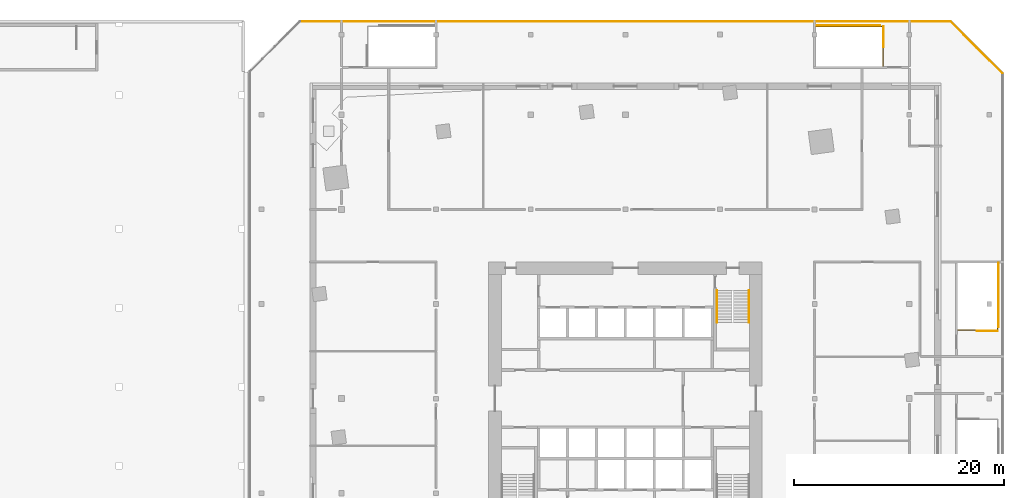
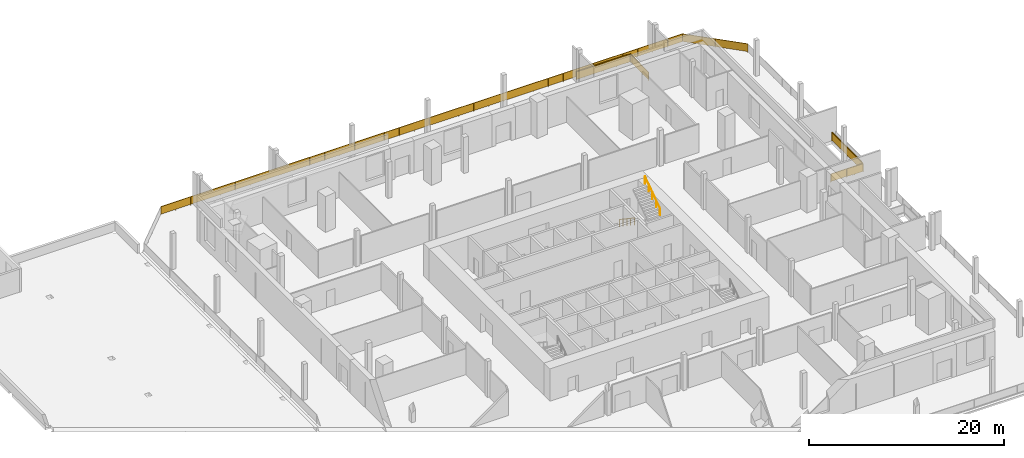
# One storey, part 12 of 12: 10 railings.
"""IFC4 building model written with IfcOpenShell, lengths in metres."""

import ifcopenshell
import ifcopenshell.guid

model = None  # the IFC model being written
_history = None  # IfcOwnerHistory: only IFC2X3 demands one
_inside = {}  # id of a spatial element -> (the spatial element, [elements in it])
_under = {}  # id of a project, library or spatial element -> (it, [spatial elements below it])
_declared = {}  # id of a project -> (the project, [libraries it declares])
_typed = {}  # id of a type object -> (the type object, [elements of that type])
_made_of = {}  # id of a material, layer set ... -> (it, [elements and type objects made of it])


def new_model(schema):
    """Start an empty IFC model of exactly this schema.

    Asked for "IFC4X3", IfcOpenShell would pick the latest addendum, in which some entities
    have other attributes; the version numbers below select the first issue.
    IFC2X3 requires an IfcOwnerHistory on every rooted entity: one is made here for all.
    """
    global model, _history
    if schema == "IFC4X3":
        model = ifcopenshell.file(schema_version=(4, 3, 0, 0))
    else:
        model = ifcopenshell.file(schema=schema)
    _inside.clear()
    _under.clear()
    _declared.clear()
    _typed.clear()
    _made_of.clear()
    _history = None
    if model.schema == "IFC2X3":
        org = make("IfcOrganization", Name="unknown")
        user = make(
            "IfcPersonAndOrganization",
            ThePerson=make("IfcPerson", FamilyName="unknown"),
            TheOrganization=org,
        )
        app = make(
            "IfcApplication",
            ApplicationDeveloper=org,
            Version="unknown",
            ApplicationFullName="unknown",
            ApplicationIdentifier="unknown",
        )
        _history = make(
            "IfcOwnerHistory",
            OwningUser=user,
            OwningApplication=app,
            ChangeAction="ADDED",
            CreationDate=0,
        )
    return model


def make(cls, **values):
    """One entity of the class cls with the attributes given. An attribute that is None is left unset."""
    return model.create_entity(
        cls, **{name: value for name, value in values.items() if value is not None}
    )


def rooted(cls, **values):
    """An entity with a GlobalId (a new one), such as an element, a storey or a relation."""
    return make(cls, GlobalId=ifcopenshell.guid.new(), OwnerHistory=_history, **values)


def si_unit(unit_type, name, prefix=None):
    """IfcSIUnit, for example si_unit("LENGTHUNIT", "METRE", prefix="MILLI")."""
    return make("IfcSIUnit", UnitType=unit_type, Prefix=prefix, Name=name)


def assignment(units):
    """IfcUnitAssignment: the units of a project."""
    return None if units is None else make("IfcUnitAssignment", Units=units)


def point(xyz):
    """IfcCartesianPoint."""
    return None if xyz is None else make("IfcCartesianPoint", Coordinates=xyz)


def direction(xyz):
    """IfcDirection."""
    return None if xyz is None else make("IfcDirection", DirectionRatios=xyz)


def frame(location, z_axis=None, x_axis=None):
    """IfcAxis2Placement3D, a coordinate frame: its origin and axes. An axis left out is left unset."""
    return make(
        "IfcAxis2Placement3D",
        Location=point(location),
        Axis=direction(z_axis),
        RefDirection=direction(x_axis),
    )


def frame_2d(location, x_axis=None):
    """IfcAxis2Placement2D, a coordinate frame in the plane: its origin and x axis."""
    return make(
        "IfcAxis2Placement2D", Location=point(location), RefDirection=direction(x_axis)
    )


def origin():
    """The frame at (0, 0, 0) with its axes left unset."""
    return frame((0.0, 0.0, 0.0))


def origin_2d():
    """The frame at (0, 0) in the plane with its x axis left unset."""
    return frame_2d((0.0, 0.0))


def place(relative_to, where):
    """IfcLocalPlacement: puts the frame where relative to a parent placement (None: the world)."""
    return make(
        "IfcLocalPlacement", PlacementRelTo=relative_to, RelativePlacement=where
    )


def context(
    kind, dimensions, precision=None, world=None, true_north=None, identifier=None
):
    """IfcGeometricRepresentationContext, for example the 3D "Model" context."""
    return make(
        "IfcGeometricRepresentationContext",
        ContextIdentifier=identifier,
        ContextType=kind,
        CoordinateSpaceDimension=dimensions,
        Precision=precision,
        WorldCoordinateSystem=world,
        TrueNorth=true_north,
    )


def subcontext(parent, identifier, kind, view, scale=None):
    """IfcGeometricRepresentationSubContext, for example "Body" below "Model"."""
    return make(
        "IfcGeometricRepresentationSubContext",
        ContextIdentifier=identifier,
        ContextType=kind,
        ParentContext=parent,
        TargetScale=scale,
        TargetView=view,
    )


def project(units=None, contexts=None):
    """IfcProject with its units and contexts."""
    return rooted(
        "IfcProject",
        Name="project",
        RepresentationContexts=contexts,
        UnitsInContext=assignment(units),
    )


def spatial(cls, under=None, at=None, **own):
    """A site, building, storey or space (cls), placed at a placement, below another one or the project."""
    s = rooted(cls, ObjectPlacement=at, **own)
    if under is not None:
        _under.setdefault(under.id(), (under, []))[1].append(s)
    return s


def profile(cls, at=None, kind="AREA", **sizes):
    """A parametric profile (cls). Its sizes go by their IFC names, for example OverallWidth=200.0."""
    return make(cls, ProfileType=kind, Position=at, **sizes)


def rectangle(**sizes):
    """IfcRectangleProfileDef."""
    return profile("IfcRectangleProfileDef", **sizes)


def circle(**sizes):
    """IfcCircleProfileDef."""
    return profile("IfcCircleProfileDef", **sizes)


def extrude(swept, where, along, depth):
    """IfcExtrudedAreaSolid: the profile swept, set in the frame where, extruded along a direction by depth."""
    return make(
        "IfcExtrudedAreaSolid",
        SweptArea=swept,
        Position=where,
        ExtrudedDirection=direction(along),
        Depth=depth,
    )


def shape(context_of_items, identifier, shape_type, items):
    """IfcShapeRepresentation: the items that make up one representation, for example the "Body"."""
    return make(
        "IfcShapeRepresentation",
        ContextOfItems=context_of_items,
        RepresentationIdentifier=identifier,
        RepresentationType=shape_type,
        Items=items,
    )


def material(Name=None, Category=None):
    """IfcMaterial."""
    return make("IfcMaterial", Name=Name, Category=Category)


def made_of(thing, what):
    """Note that an element or type object is made of a material, layer set ...; save() writes the relation."""
    if what is not None:
        _made_of.setdefault(what.id(), (what, []))[1].append(thing)
    return thing


def type_object(cls, material=None, **own):
    """A type object (cls), such as IfcWallType, which elements share."""
    return made_of(rooted(cls, **own), material)


def element(
    cls,
    number,
    at=None,
    inside=None,
    cuts=None,
    type_object=None,
    material=None,
    context=None,
    identifier="Body",
    shape_type=None,
    held_by="IfcProductDefinitionShape",
    body=None,
    shapes=None,
    **own,
):
    """One element of the class cls, such as IfcWall. Its Tag is "e" and its number.

    at: its placement. inside: the storey or other place that contains it. cuts: it is an
    opening in that element (IfcRelVoidsElement). A single representation is given by context,
    identifier, shape_type and body (its items); several are given by shapes. held_by: the class
    of the entity that holds the representations. save() writes the other relations.
    """
    e = rooted(cls, Tag="e%d" % number, ObjectPlacement=at, **own)
    if body is not None:
        shapes = [shape(context, identifier, shape_type, body)]
    if shapes is not None:
        e.Representation = make(held_by, Representations=shapes)
    if inside is not None:
        _inside.setdefault(inside.id(), (inside, []))[1].append(e)
    if cuts is not None:
        rooted(
            "IfcRelVoidsElement", RelatingBuildingElement=cuts, RelatedOpeningElement=e
        )
    if type_object is not None:
        _typed.setdefault(type_object.id(), (type_object, []))[1].append(e)
    return made_of(e, material)


def aggregate(whole, parts):
    """IfcRelAggregates: a whole, such as a stair, and the parts it consists of."""
    return rooted("IfcRelAggregates", RelatingObject=whole, RelatedObjects=parts)


def save(model, path):
    """Write the relations noted so far, then the file.

    IfcRelAggregates (storeys below a building ...), IfcRelContainedInSpatialStructure (elements
    in a storey), IfcRelDefinesByType, IfcRelAssociatesMaterial and IfcRelDeclares: one each for
    every whole, place, type object, material and project.
    """
    for whole, parts in _under.values():
        aggregate(whole, parts)
    for where, things in _inside.values():
        rooted(
            "IfcRelContainedInSpatialStructure",
            RelatedElements=things,
            RelatingStructure=where,
        )
    for kind, things in _typed.values():
        rooted("IfcRelDefinesByType", RelatedObjects=things, RelatingType=kind)
    for what, things in _made_of.values():
        rooted("IfcRelAssociatesMaterial", RelatedObjects=things, RelatingMaterial=what)
    for by, libraries in _declared.values():
        rooted("IfcRelDeclares", RelatingContext=by, RelatedDefinitions=libraries)
    model.write(path)


model = new_model("IFC4")

# Units and contexts
model_context = context("Model", 3, precision=1e-05, world=origin(), true_north=direction((0.0, 1.0)))
body_context = subcontext(model_context, "Body", "Model", "MODEL_VIEW")
ifc_project = project(units=[si_unit("LENGTHUNIT", "METRE"), si_unit("AREAUNIT", "SQUARE_METRE"), si_unit("VOLUMEUNIT", "CUBIC_METRE"), si_unit("PLANEANGLEUNIT", "RADIAN"), si_unit("MASSUNIT", "GRAM", prefix="KILO")], contexts=[model_context])

# Site, building, storey
site_placement = place(None, origin())
site = spatial("IfcSite", under=ifc_project, at=site_placement, CompositionType="ELEMENT")
building_placement = place(site_placement, origin())
building = spatial("IfcBuilding", under=site, at=building_placement, Name="Dilmun Exchange Tower", CompositionType="ELEMENT")
storey_placement = place(building_placement, frame((0.0, 0.0, 18.0)))
storey = spatial("IfcBuildingStorey", under=building, at=storey_placement, Name="L04", CompositionType="ELEMENT", Elevation=18.0)

# Railings
ifc_material_1 = material(Name="Guard 1100")
railing_type_1 = type_object("IfcRailingType", Name="Guard 1100", PredefinedType="GUARDRAIL", material=ifc_material_1)
railing_1_placement = place(storey_placement, frame((18.10009765625, 35.4599609375, 0.0)))
element("IfcRailing", 1, at=railing_1_placement, inside=storey, type_object=railing_type_1, Name="L04 guard at PS2 well", PredefinedType="GUARDRAIL", context=body_context, shape_type="SweptSolid", body=[
    extrude(circle(Radius=0.02392578125, at=origin_2d()), frame((0.0, 0.0, 1.076171875), z_axis=(1.0, 0.0, 0.0), x_axis=(0.0, 1.0, 0.0)), (0.0, 0.0, 1.0), 6.099853515625),
    extrude(rectangle(XDim=0.011962890625, YDim=0.951904296875, at=origin_2d()), frame((0.0, 0.0, 0.576171875), z_axis=(1.0, 0.0, 0.0), x_axis=(0.0, 1.0, 0.0)), (0.0, 0.0, 1.0), 6.099853515625),
    extrude(circle(Radius=0.02099609375, at=origin_2d()), origin(), (0.0, 0.0, 1.0), 1.052001953125),
    extrude(circle(Radius=0.02099609375, at=origin_2d()), frame((1.0166015625, 0.0, 0.0)), (0.0, 0.0, 1.0), 1.052001953125),
    extrude(circle(Radius=0.02099609375, at=origin_2d()), frame((2.033203125, 0.0, 0.0)), (0.0, 0.0, 1.0), 1.052001953125),
    extrude(circle(Radius=0.02099609375, at=origin_2d()), frame((3.0498046875, 0.0, 0.0)), (0.0, 0.0, 1.0), 1.052001953125),
    extrude(circle(Radius=0.02099609375, at=origin_2d()), frame((4.066650390625, 0.0, 0.0)), (0.0, 0.0, 1.0), 1.052001953125),
    extrude(circle(Radius=0.02099609375, at=origin_2d()), frame((5.083251953125, 0.0, 0.0)), (0.0, 0.0, 1.0), 1.052001953125),
    extrude(circle(Radius=0.02099609375, at=origin_2d()), frame((6.099853515625, 0.0, 0.0)), (0.0, 0.0, 1.0), 1.052001953125),
])
railing_2_placement = place(storey_placement, frame((35.4599609375, 6.800048828125, 0.0)))
element("IfcRailing", 2, at=railing_2_placement, inside=storey, type_object=railing_type_1, Name="L04 guard at PS4 well", PredefinedType="GUARDRAIL", context=body_context, shape_type="SweptSolid", body=[
    extrude(circle(Radius=0.02392578125, at=origin_2d()), frame((0.0, 0.0, 1.076171875), z_axis=(0.0, 1.0, 0.0), x_axis=(-1.0, 0.0, 0.0)), (0.0, 0.0, 1.0), 6.099853515625),
    extrude(rectangle(XDim=0.011962890625, YDim=0.951904296875, at=origin_2d()), frame((0.0, 0.0, 0.576171875), z_axis=(0.0, 1.0, 0.0), x_axis=(-1.0, 0.0, 0.0)), (0.0, 0.0, 1.0), 6.099853515625),
    extrude(circle(Radius=0.02099609375, at=origin_2d()), origin(), (0.0, 0.0, 1.0), 1.052001953125),
    extrude(circle(Radius=0.02099609375, at=origin_2d()), frame((0.0, 1.0166015625, 0.0)), (0.0, 0.0, 1.0), 1.052001953125),
    extrude(circle(Radius=0.02099609375, at=origin_2d()), frame((0.0, 2.033203125, 0.0)), (0.0, 0.0, 1.0), 1.052001953125),
    extrude(circle(Radius=0.02099609375, at=origin_2d()), frame((0.0, 3.0498046875, 0.0)), (0.0, 0.0, 1.0), 1.052001953125),
    extrude(circle(Radius=0.02099609375, at=origin_2d()), frame((0.0, 4.066650390625, 0.0)), (0.0, 0.0, 1.0), 1.052001953125),
    extrude(circle(Radius=0.02099609375, at=origin_2d()), frame((0.0, 5.083251953125, 0.0)), (0.0, 0.0, 1.0), 1.052001953125),
    extrude(circle(Radius=0.02099609375, at=origin_2d()), frame((0.0, 6.099853515625, 0.0)), (0.0, 0.0, 1.0), 1.052001953125),
])
railing_3_placement = place(storey_placement, frame((24.550048828125, 35.39794921875, 0.0)))
element("IfcRailing", 3, at=railing_3_placement, inside=storey, type_object=railing_type_1, Name="L04 PS2 top well guard 1", PredefinedType="GUARDRAIL", context=body_context, shape_type="SweptSolid", body=[
    extrude(circle(Radius=0.02392578125, at=origin_2d()), frame((0.0, 0.0, 1.076171875), z_axis=(0.0, -1.0, 0.0), x_axis=(1.0, 0.0, 0.0)), (0.0, 0.0, 1.0), 1.973876953125),
    extrude(rectangle(XDim=0.011962890625, YDim=0.951904296875, at=origin_2d()), frame((0.0, 0.0, 0.576171875), z_axis=(0.0, -1.0, 0.0), x_axis=(1.0, 0.0, 0.0)), (0.0, 0.0, 1.0), 1.973876953125),
    extrude(circle(Radius=0.02099609375, at=origin_2d()), origin(), (0.0, 0.0, 1.0), 1.052001953125),
    extrude(circle(Radius=0.02099609375, at=origin_2d()), frame((0.0, -0.98681640625, 0.0)), (0.0, 0.0, 1.0), 1.052001953125),
    extrude(circle(Radius=0.02099609375, at=origin_2d()), frame((0.0, -1.973876953125, 0.0)), (0.0, 0.0, 1.0), 1.052001953125),
])
railing_4_placement = place(storey_placement, frame((35.39794921875, 6.449951171875, 0.0)))
element("IfcRailing", 4, at=railing_4_placement, inside=storey, type_object=railing_type_1, Name="L04 PS4 top well guard 1", PredefinedType="GUARDRAIL", context=body_context, shape_type="SweptSolid", body=[
    extrude(circle(Radius=0.02392578125, at=origin_2d()), frame((0.0, 0.0, 1.076171875), z_axis=(-1.0, 0.0, 0.0), x_axis=(0.0, -1.0, 0.0)), (0.0, 0.0, 1.0), 1.973876953125),
    extrude(rectangle(XDim=0.011962890625, YDim=0.951904296875, at=origin_2d()), frame((0.0, 0.0, 0.576171875), z_axis=(-1.0, 0.0, 0.0), x_axis=(0.0, -1.0, 0.0)), (0.0, 0.0, 1.0), 1.973876953125),
    extrude(circle(Radius=0.02099609375, at=origin_2d()), origin(), (0.0, 0.0, 1.0), 1.052001953125),
    extrude(circle(Radius=0.02099609375, at=origin_2d()), frame((-0.98681640625, 0.0, 0.0)), (0.0, 0.0, 1.0), 1.052001953125),
    extrude(circle(Radius=0.02099609375, at=origin_2d()), frame((-1.973876953125, 0.0, 0.0)), (0.0, 0.0, 1.0), 1.052001953125),
])
ifc_material_2 = material(Name="Stainless steel", Category="steel")
railing_type_2 = type_object("IfcRailingType", Name="Stair handrail 900", PredefinedType="HANDRAIL", material=ifc_material_2)
railing_5_placement = place(storey_placement, frame((8.699951171875, 10.300048828125, 0.1875)))
element("IfcRailing", 5, at=railing_5_placement, inside=storey, type_object=railing_type_2, Name="L04 ST1 stair handrail 1", PredefinedType="HANDRAIL", context=body_context, shape_type="SweptSolid", body=[
    extrude(circle(Radius=0.02392578125, at=origin_2d()), frame((0.0, 0.0, 0.8759765625), z_axis=(0.0, -0.830913701846, 0.55640131208), x_axis=(1.0, 0.0, 0.0)), (0.0, 0.0, 1.0), 3.706787109375),
    extrude(circle(Radius=0.02099609375, at=origin_2d()), origin(), (0.0, 0.0, 1.0), 0.851806640625),
    extrude(circle(Radius=0.02099609375, at=origin_2d()), frame((0.0, -0.77001953125, 0.515625)), (0.0, 0.0, 1.0), 0.851806640625),
    extrude(circle(Radius=0.02099609375, at=origin_2d()), frame((0.0, -1.5400390625, 1.03125)), (0.0, 0.0, 1.0), 0.851806640625),
    extrude(circle(Radius=0.02099609375, at=origin_2d()), frame((0.0, -2.31005859375, 1.546875)), (0.0, 0.0, 1.0), 0.851806640625),
    extrude(circle(Radius=0.02099609375, at=origin_2d()), frame((0.0, -3.080078125, 2.0625)), (0.0, 0.0, 1.0), 0.851806640625),
])
railing_6_placement = place(storey_placement, frame((11.75, 7.219970703125, 2.4375)))
element("IfcRailing", 6, at=railing_6_placement, inside=storey, type_object=railing_type_2, Name="L04 ST1 stair handrail 2", PredefinedType="HANDRAIL", context=body_context, shape_type="SweptSolid", body=[
    extrude(circle(Radius=0.02392578125, at=origin_2d()), frame((0.0, 0.0, 0.8759765625), z_axis=(0.0, 0.830913701846, 0.55640131208), x_axis=(-1.0, 0.0, 0.0)), (0.0, 0.0, 1.0), 3.706787109375),
    extrude(circle(Radius=0.02099609375, at=origin_2d()), origin(), (0.0, 0.0, 1.0), 0.851806640625),
    extrude(circle(Radius=0.02099609375, at=origin_2d()), frame((0.0, 0.77001953125, 0.515625)), (0.0, 0.0, 1.0), 0.851806640625),
    extrude(circle(Radius=0.02099609375, at=origin_2d()), frame((0.0, 1.5400390625, 1.03125)), (0.0, 0.0, 1.0), 0.851806640625),
    extrude(circle(Radius=0.02099609375, at=origin_2d()), frame((0.0, 2.31005859375, 1.546875)), (0.0, 0.0, 1.0), 0.851806640625),
    extrude(circle(Radius=0.02099609375, at=origin_2d()), frame((0.0, 3.080078125, 2.0625)), (0.0, 0.0, 1.0), 0.851806640625),
])
railing_type_3 = type_object("IfcRailingType", Name="Terrace guard 1100 stainless steel", PredefinedType="GUARDRAIL", material=ifc_material_2)
railing_7_placement = place(storey_placement, frame((35.85009765625, 30.93798828125, 0.0)))
element("IfcRailing", 7, at=railing_7_placement, inside=storey, type_object=railing_type_3, Name="Podium terrace guard 6", PredefinedType="GUARDRAIL", context=body_context, shape_type="SweptSolid", body=[
    extrude(circle(Radius=0.02392578125, at=origin_2d()), frame((0.0, 0.0, 1.076171875), z_axis=(-0.707106781187, 0.707106781187, 0.0), x_axis=(-0.707106781187, -0.707106781187, 0.0)), (0.0, 0.0, 1.0), 6.94677734375),
    extrude(rectangle(XDim=0.011962890625, YDim=0.951904296875, at=origin_2d()), frame((0.0, 0.0, 0.576171875), z_axis=(-0.707106781187, 0.707106781187, 0.0), x_axis=(-0.707106781187, -0.707106781187, 0.0)), (0.0, 0.0, 1.0), 6.94677734375),
    extrude(circle(Radius=0.02099609375, at=origin_2d()), origin(), (0.0, 0.0, 1.0), 1.052001953125),
    extrude(circle(Radius=0.02099609375, at=origin_2d()), frame((-1.22802734375, 1.22802734375, 0.0)), (0.0, 0.0, 1.0), 1.052001953125),
    extrude(circle(Radius=0.02099609375, at=origin_2d()), frame((-2.4560546875, 2.4560546875, 0.0)), (0.0, 0.0, 1.0), 1.052001953125),
    extrude(circle(Radius=0.02099609375, at=origin_2d()), frame((-3.68408203125, 3.68408203125, 0.0)), (0.0, 0.0, 1.0), 1.052001953125),
    extrude(circle(Radius=0.02099609375, at=origin_2d()), frame((-4.912109375, 4.912109375, 0.0)), (0.0, 0.0, 1.0), 1.052001953125),
])
railing_8_placement = place(storey_placement, frame((30.93798828125, 35.85009765625, 0.0)))
element("IfcRailing", 8, at=railing_8_placement, inside=storey, type_object=railing_type_3, Name="Podium terrace guard 7", PredefinedType="GUARDRAIL", context=body_context, shape_type="SweptSolid", body=[
    extrude(circle(Radius=0.02392578125, at=origin_2d()), frame((0.0, 0.0, 1.076171875), z_axis=(-1.0, 0.0, 0.0), x_axis=(0.0, -1.0, 0.0)), (0.0, 0.0, 1.0), 61.8759765625),
    extrude(rectangle(XDim=0.011962890625, YDim=0.951904296875, at=origin_2d()), frame((0.0, 0.0, 0.576171875), z_axis=(-1.0, 0.0, 0.0), x_axis=(0.0, -1.0, 0.0)), (0.0, 0.0, 1.0), 61.8759765625),
    extrude(circle(Radius=0.02099609375, at=origin_2d()), origin(), (0.0, 0.0, 1.0), 1.052001953125),
    extrude(circle(Radius=0.02099609375, at=origin_2d()), frame((-1.767822265625, 0.0, 0.0)), (0.0, 0.0, 1.0), 1.052001953125),
    extrude(circle(Radius=0.02099609375, at=origin_2d()), frame((-3.535888671875, 0.0, 0.0)), (0.0, 0.0, 1.0), 1.052001953125),
    extrude(circle(Radius=0.02099609375, at=origin_2d()), frame((-5.3037109375, 0.0, 0.0)), (0.0, 0.0, 1.0), 1.052001953125),
    extrude(circle(Radius=0.02099609375, at=origin_2d()), frame((-7.071533203125, 0.0, 0.0)), (0.0, 0.0, 1.0), 1.052001953125),
    extrude(circle(Radius=0.02099609375, at=origin_2d()), frame((-8.83935546875, 0.0, 0.0)), (0.0, 0.0, 1.0), 1.052001953125),
    extrude(circle(Radius=0.02099609375, at=origin_2d()), frame((-10.607421875, 0.0, 0.0)), (0.0, 0.0, 1.0), 1.052001953125),
    extrude(circle(Radius=0.02099609375, at=origin_2d()), frame((-12.375244140625, 0.0, 0.0)), (0.0, 0.0, 1.0), 1.052001953125),
    extrude(circle(Radius=0.02099609375, at=origin_2d()), frame((-14.14306640625, 0.0, 0.0)), (0.0, 0.0, 1.0), 1.052001953125),
    extrude(circle(Radius=0.02099609375, at=origin_2d()), frame((-15.910888671875, 0.0, 0.0)), (0.0, 0.0, 1.0), 1.052001953125),
    extrude(circle(Radius=0.02099609375, at=origin_2d()), frame((-17.678955078125, 0.0, 0.0)), (0.0, 0.0, 1.0), 1.052001953125),
    extrude(circle(Radius=0.02099609375, at=origin_2d()), frame((-19.44677734375, 0.0, 0.0)), (0.0, 0.0, 1.0), 1.052001953125),
    extrude(circle(Radius=0.02099609375, at=origin_2d()), frame((-21.214599609375, 0.0, 0.0)), (0.0, 0.0, 1.0), 1.052001953125),
    extrude(circle(Radius=0.02099609375, at=origin_2d()), frame((-22.982421875, 0.0, 0.0)), (0.0, 0.0, 1.0), 1.052001953125),
    extrude(circle(Radius=0.02099609375, at=origin_2d()), frame((-24.75048828125, 0.0, 0.0)), (0.0, 0.0, 1.0), 1.052001953125),
    extrude(circle(Radius=0.02099609375, at=origin_2d()), frame((-26.518310546875, 0.0, 0.0)), (0.0, 0.0, 1.0), 1.052001953125),
    extrude(circle(Radius=0.02099609375, at=origin_2d()), frame((-28.2861328125, 0.0, 0.0)), (0.0, 0.0, 1.0), 1.052001953125),
    extrude(circle(Radius=0.02099609375, at=origin_2d()), frame((-30.053955078125, 0.0, 0.0)), (0.0, 0.0, 1.0), 1.052001953125),
    extrude(circle(Radius=0.02099609375, at=origin_2d()), frame((-31.822021484375, 0.0, 0.0)), (0.0, 0.0, 1.0), 1.052001953125),
    extrude(circle(Radius=0.02099609375, at=origin_2d()), frame((-33.58984375, 0.0, 0.0)), (0.0, 0.0, 1.0), 1.052001953125),
    extrude(circle(Radius=0.02099609375, at=origin_2d()), frame((-35.357666015625, 0.0, 0.0)), (0.0, 0.0, 1.0), 1.052001953125),
    extrude(circle(Radius=0.02099609375, at=origin_2d()), frame((-37.12548828125, 0.0, 0.0)), (0.0, 0.0, 1.0), 1.052001953125),
    extrude(circle(Radius=0.02099609375, at=origin_2d()), frame((-38.8935546875, 0.0, 0.0)), (0.0, 0.0, 1.0), 1.052001953125),
    extrude(circle(Radius=0.02099609375, at=origin_2d()), frame((-40.661376953125, 0.0, 0.0)), (0.0, 0.0, 1.0), 1.052001953125),
    extrude(circle(Radius=0.02099609375, at=origin_2d()), frame((-42.42919921875, 0.0, 0.0)), (0.0, 0.0, 1.0), 1.052001953125),
    extrude(circle(Radius=0.02099609375, at=origin_2d()), frame((-44.197021484375, 0.0, 0.0)), (0.0, 0.0, 1.0), 1.052001953125),
    extrude(circle(Radius=0.02099609375, at=origin_2d()), frame((-45.965087890625, 0.0, 0.0)), (0.0, 0.0, 1.0), 1.052001953125),
    extrude(circle(Radius=0.02099609375, at=origin_2d()), frame((-47.73291015625, 0.0, 0.0)), (0.0, 0.0, 1.0), 1.052001953125),
    extrude(circle(Radius=0.02099609375, at=origin_2d()), frame((-49.500732421875, 0.0, 0.0)), (0.0, 0.0, 1.0), 1.052001953125),
    extrude(circle(Radius=0.02099609375, at=origin_2d()), frame((-51.2685546875, 0.0, 0.0)), (0.0, 0.0, 1.0), 1.052001953125),
    extrude(circle(Radius=0.02099609375, at=origin_2d()), frame((-53.03662109375, 0.0, 0.0)), (0.0, 0.0, 1.0), 1.052001953125),
    extrude(circle(Radius=0.02099609375, at=origin_2d()), frame((-54.804443359375, 0.0, 0.0)), (0.0, 0.0, 1.0), 1.052001953125),
    extrude(circle(Radius=0.02099609375, at=origin_2d()), frame((-56.572265625, 0.0, 0.0)), (0.0, 0.0, 1.0), 1.052001953125),
    extrude(circle(Radius=0.02099609375, at=origin_2d()), frame((-58.340087890625, 0.0, 0.0)), (0.0, 0.0, 1.0), 1.052001953125),
    extrude(circle(Radius=0.02099609375, at=origin_2d()), frame((-60.108154296875, 0.0, 0.0)), (0.0, 0.0, 1.0), 1.052001953125),
    extrude(circle(Radius=0.02099609375, at=origin_2d()), frame((-61.8759765625, 0.0, 0.0)), (0.0, 0.0, 1.0), 1.052001953125),
])
railing_9_placement = place(storey_placement, frame((31.60009765625, 6.5048828125, 0.0)))
element("IfcRailing", 9, at=railing_9_placement, inside=storey, type_object=railing_type_3, Name="Stair well guard 2", PredefinedType="GUARDRAIL", context=body_context, shape_type="SweptSolid", body=[
    extrude(circle(Radius=0.02392578125, at=origin_2d()), frame((0.0, 0.0, 1.076171875), z_axis=(1.0, 0.0, 0.0), x_axis=(0.0, 1.0, 0.0)), (0.0, 0.0, 1.0), 3.7978515625),
    extrude(rectangle(XDim=0.011962890625, YDim=0.951904296875, at=origin_2d()), frame((0.0, 0.0, 0.576171875), z_axis=(1.0, 0.0, 0.0), x_axis=(0.0, 1.0, 0.0)), (0.0, 0.0, 1.0), 3.7978515625),
    extrude(circle(Radius=0.02392578125, at=origin_2d()), frame((3.7978515625, 0.0, 1.076171875), z_axis=(0.0, 1.0, 0.0), x_axis=(-1.0, 0.0, 0.0)), (0.0, 0.0, 1.0), 6.39013671875),
    extrude(rectangle(XDim=0.011962890625, YDim=0.951904296875, at=origin_2d()), frame((3.7978515625, 0.0, 0.576171875), z_axis=(0.0, 1.0, 0.0), x_axis=(-1.0, 0.0, 0.0)), (0.0, 0.0, 1.0), 6.39013671875),
    extrude(circle(Radius=0.02099609375, at=origin_2d()), origin(), (0.0, 0.0, 1.0), 1.052001953125),
    extrude(circle(Radius=0.02099609375, at=origin_2d()), frame((1.265869140625, 0.0, 0.0)), (0.0, 0.0, 1.0), 1.052001953125),
    extrude(circle(Radius=0.02099609375, at=origin_2d()), frame((2.531982421875, 0.0, 0.0)), (0.0, 0.0, 1.0), 1.052001953125),
    extrude(circle(Radius=0.02099609375, at=origin_2d()), frame((3.7978515625, 0.0, 0.0)), (0.0, 0.0, 1.0), 1.052001953125),
    extrude(circle(Radius=0.02099609375, at=origin_2d()), frame((3.7978515625, 1.59765625, 0.0)), (0.0, 0.0, 1.0), 1.052001953125),
    extrude(circle(Radius=0.02099609375, at=origin_2d()), frame((3.7978515625, 3.195068359375, 0.0)), (0.0, 0.0, 1.0), 1.052001953125),
    extrude(circle(Radius=0.02099609375, at=origin_2d()), frame((3.7978515625, 4.79248046875, 0.0)), (0.0, 0.0, 1.0), 1.052001953125),
    extrude(circle(Radius=0.02099609375, at=origin_2d()), frame((3.7978515625, 6.39013671875, 0.0)), (0.0, 0.0, 1.0), 1.052001953125),
])
railing_10_placement = place(storey_placement, frame((24.4951171875, 31.60009765625, 0.0)))
element("IfcRailing", 10, at=railing_10_placement, inside=storey, type_object=railing_type_3, Name="Stair well guard 4", PredefinedType="GUARDRAIL", context=body_context, shape_type="SweptSolid", body=[
    extrude(circle(Radius=0.02392578125, at=origin_2d()), frame((0.0, 0.0, 1.076171875), z_axis=(0.0, 1.0, 0.0), x_axis=(-1.0, 0.0, 0.0)), (0.0, 0.0, 1.0), 3.7978515625),
    extrude(rectangle(XDim=0.011962890625, YDim=0.951904296875, at=origin_2d()), frame((0.0, 0.0, 0.576171875), z_axis=(0.0, 1.0, 0.0), x_axis=(-1.0, 0.0, 0.0)), (0.0, 0.0, 1.0), 3.7978515625),
    extrude(circle(Radius=0.02392578125, at=origin_2d()), frame((0.0, 3.7978515625, 1.076171875), z_axis=(-1.0, 0.0, 0.0), x_axis=(0.0, -1.0, 0.0)), (0.0, 0.0, 1.0), 6.39013671875),
    extrude(rectangle(XDim=0.011962890625, YDim=0.951904296875, at=origin_2d()), frame((0.0, 3.7978515625, 0.576171875), z_axis=(-1.0, 0.0, 0.0), x_axis=(0.0, -1.0, 0.0)), (0.0, 0.0, 1.0), 6.39013671875),
    extrude(circle(Radius=0.02099609375, at=origin_2d()), origin(), (0.0, 0.0, 1.0), 1.052001953125),
    extrude(circle(Radius=0.02099609375, at=origin_2d()), frame((0.0, 1.265869140625, 0.0)), (0.0, 0.0, 1.0), 1.052001953125),
    extrude(circle(Radius=0.02099609375, at=origin_2d()), frame((0.0, 2.531982421875, 0.0)), (0.0, 0.0, 1.0), 1.052001953125),
    extrude(circle(Radius=0.02099609375, at=origin_2d()), frame((0.0, 3.7978515625, 0.0)), (0.0, 0.0, 1.0), 1.052001953125),
    extrude(circle(Radius=0.02099609375, at=origin_2d()), frame((-1.59765625, 3.7978515625, 0.0)), (0.0, 0.0, 1.0), 1.052001953125),
    extrude(circle(Radius=0.02099609375, at=origin_2d()), frame((-3.195068359375, 3.7978515625, 0.0)), (0.0, 0.0, 1.0), 1.052001953125),
    extrude(circle(Radius=0.02099609375, at=origin_2d()), frame((-4.79248046875, 3.7978515625, 0.0)), (0.0, 0.0, 1.0), 1.052001953125),
    extrude(circle(Radius=0.02099609375, at=origin_2d()), frame((-6.39013671875, 3.7978515625, 0.0)), (0.0, 0.0, 1.0), 1.052001953125),
])

save(model, "model.ifc")
